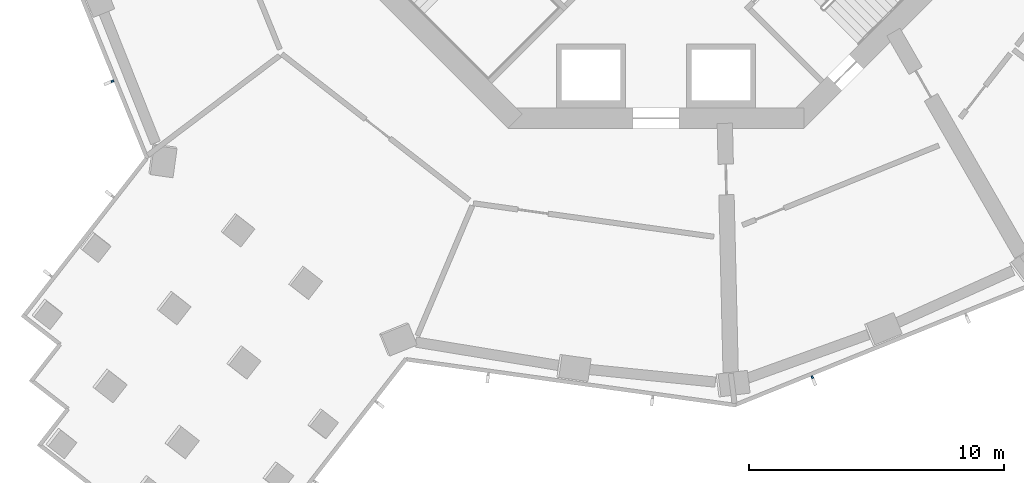
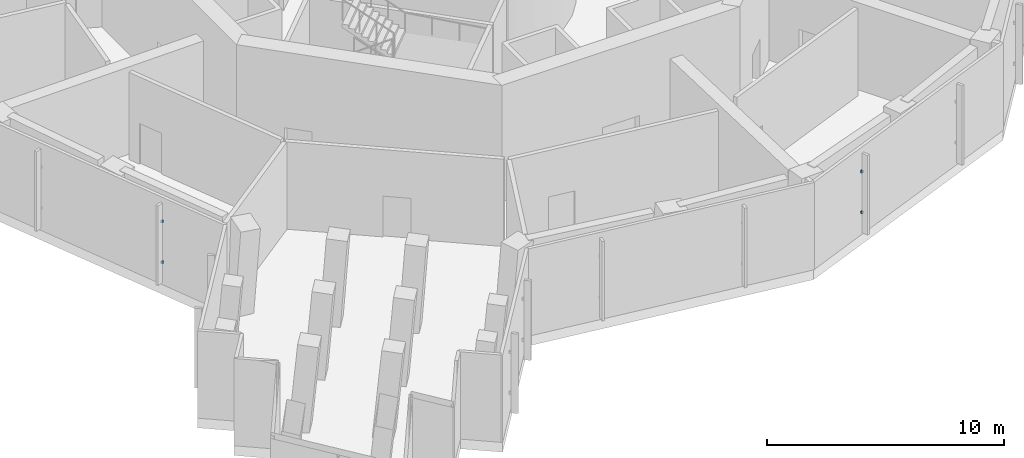
# One storey, part 7 of 17: 4 discrete accessories.
"""IFC4 building model written with IfcOpenShell, lengths in metres."""

from ifc_helpers import new_model, si_unit, direction, frame, origin, origin_2d, place, context, subcontext, project, spatial, rectangle, extrude, element, save


model = new_model("IFC4")

# Units and contexts
model_context = context("Model", 3, precision=1e-05, world=origin(), true_north=direction((0.0, 1.0)))
body_context = subcontext(model_context, "Body", "Model", "MODEL_VIEW")
ifc_project = project(units=[si_unit("LENGTHUNIT", "METRE"), si_unit("AREAUNIT", "SQUARE_METRE"), si_unit("VOLUMEUNIT", "CUBIC_METRE"), si_unit("PLANEANGLEUNIT", "RADIAN"), si_unit("MASSUNIT", "GRAM", prefix="KILO")], contexts=[model_context])

# Site, building, storey
site_placement = place(None, origin())
site = spatial("IfcSite", under=ifc_project, at=site_placement, CompositionType="ELEMENT")
building_placement = place(site_placement, origin())
building = spatial("IfcBuilding", under=site, at=building_placement, Name="Verdalira Terraces Hotel", CompositionType="ELEMENT")
storey_placement = place(building_placement, frame((0.0, 0.0, 122.0)))
storey = spatial("IfcBuildingStorey", under=building, at=storey_placement, Name="L29", CompositionType="ELEMENT", Elevation=122.0)

# Discrete accessories
for number, where, z_axis, x_axis, name in (
    (1, (-21.303955, -12.14917, 1.139893), (0.0, 0.0, 1.0), (0.375900821, -0.926659901, 0.0), "Fin bracket"),
    (2, (-21.303955, -12.14917, 3.23999), (0.0, 0.0, 1.0), (0.375900821, -0.926659901, 0.0), "Fin bracket"),
    (3, (6.125977, -23.747314, 1.139893), (0.0, 0.0, 1.0), (0.926659901, 0.375900821, 0.0), "Fin bracket"),
    (4, (6.125977, -23.747314, 3.23999), (0.0, 0.0, 1.0), (0.926659901, 0.375900821, 0.0), "Fin bracket"),
):
    element("IfcDiscreteAccessory", number, at=place(storey_placement, frame(where, z_axis=z_axis, x_axis=x_axis)), inside=storey, Name=name, PredefinedType="BRACKET", context=body_context, shape_type="SweptSolid", body=[
        extrude(rectangle(XDim=0.080078, YDim=0.100098, at=origin_2d()), origin(), (0.0, 0.0, 1.0), 0.120117),
    ])

save(model, "model.ifc")
